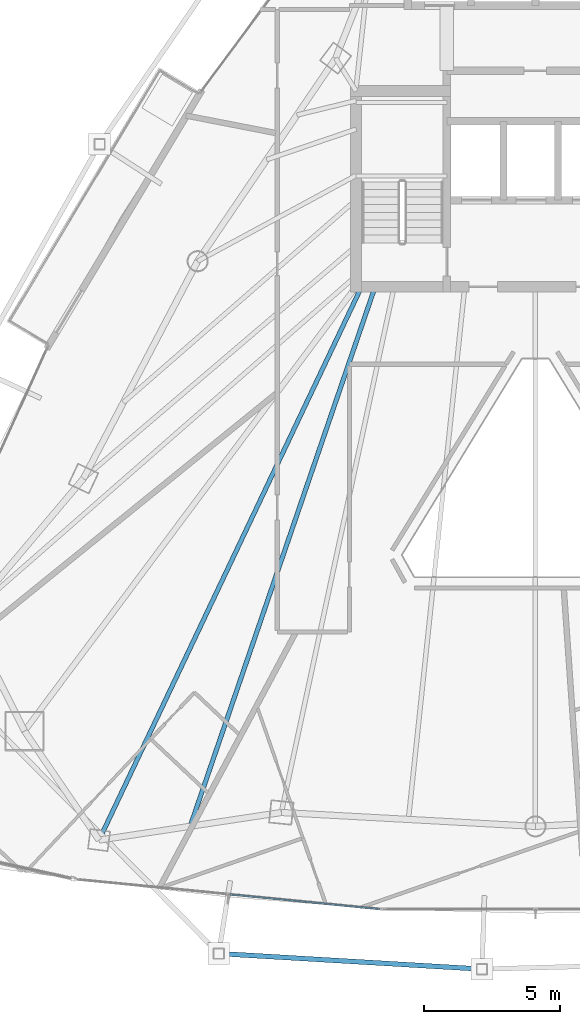
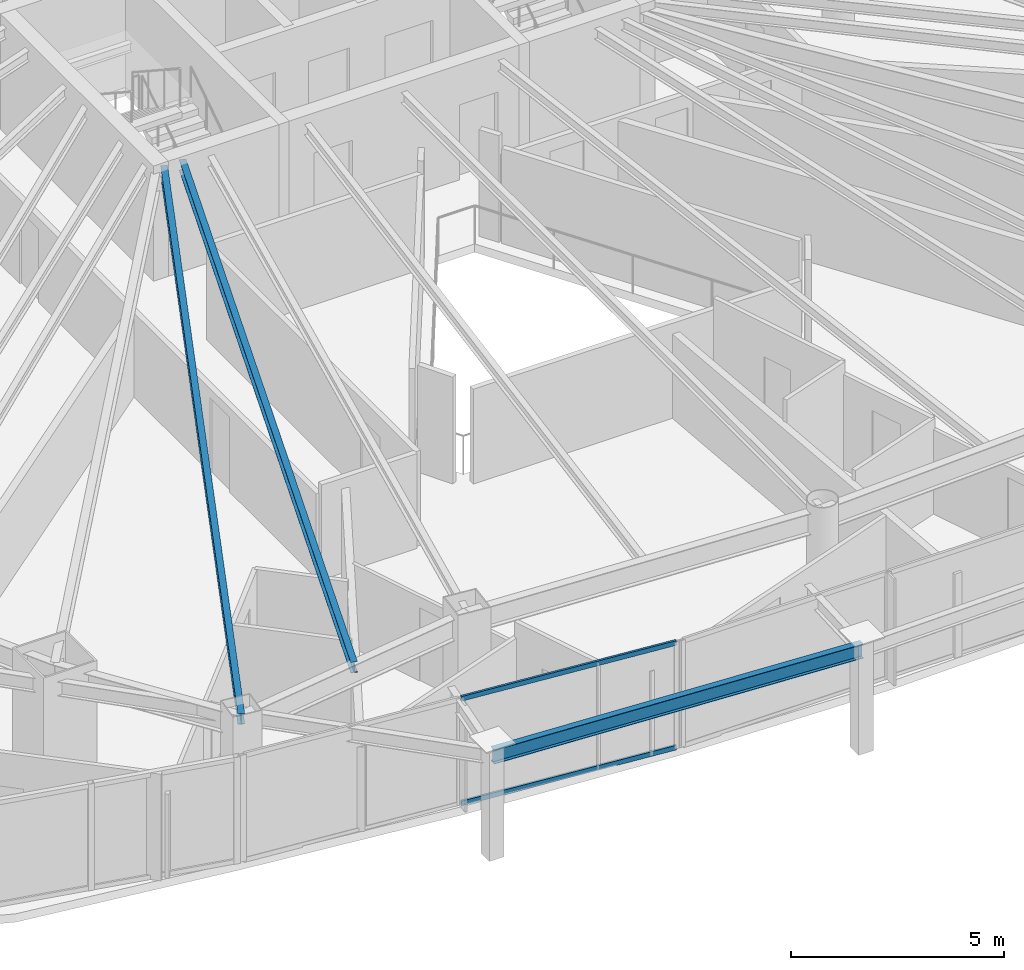
# One storey, part 6 of 29: 3 beams, 2 members, 1 element without a shape of its own.
"""IFC4 building model written with IfcOpenShell, lengths in metres."""

from ifc_helpers import new_model, si_unit, direction, frame, origin, origin_2d, place, context, subcontext, project, spatial, hollow_rectangle, i_section, extrude, material, layer, layer_set, material_profile, profile_set, type_object, element, aggregate, save


model = new_model("IFC4")

# Units and contexts
model_context = context("Model", 3, precision=1e-05, world=origin(), true_north=direction((0.0, 1.0)))
body_context = subcontext(model_context, "Body", "Model", "MODEL_VIEW")
ifc_project = project(units=[si_unit("LENGTHUNIT", "METRE"), si_unit("AREAUNIT", "SQUARE_METRE"), si_unit("VOLUMEUNIT", "CUBIC_METRE"), si_unit("PLANEANGLEUNIT", "RADIAN"), si_unit("MASSUNIT", "GRAM", prefix="KILO")], contexts=[model_context])

# Site, building, storey
site_placement = place(None, origin())
site = spatial("IfcSite", under=ifc_project, at=site_placement, CompositionType="ELEMENT")
building_placement = place(site_placement, origin())
building = spatial("IfcBuilding", under=site, at=building_placement, Name="Orvanel Arch Residences", CompositionType="ELEMENT")
storey_placement = place(building_placement, frame((0.0, 0.0, 167.14990234375)))
storey = spatial("IfcBuildingStorey", under=building, at=storey_placement, Name="L47", CompositionType="ELEMENT", Elevation=167.14990234375)

# Beams
ifc_material_1 = material(Name="Structural steel AS/NZS 3679.1 Grade 300 (300 MPa)", Category="steel")
ifc_material_profile_1 = material_profile(ifc_material_1, i_section(OverallWidth=0.1650390625, OverallDepth=0.303955078125, WebThickness=0.006103515625, FlangeThickness=0.01025390625, at=origin_2d()), Name="310UB40.4")
ifc_profile_set_1 = profile_set([ifc_material_profile_1], Name="Structural steel AS/NZS 3679.1 Grade 300 (300 MPa)")
beam_type_1 = type_object("IfcBeamType", Name="BJ-310UB", PredefinedType="JOIST", material=ifc_profile_set_1)
beam_1_placement = place(storey_placement, frame((26.60009765625, 26.699951171875, 2.908203125), z_axis=(-0.428614365266, -0.903487534993, 0.0), x_axis=(0.903487534993, -0.428614365266, 0.0)))
element("IfcBeam", 1, at=beam_1_placement, inside=storey, type_object=beam_type_1, Name="L47 MSW Wing Floor Joist", PredefinedType="JOIST", context=body_context, shape_type="SweptSolid", body=[
    extrude(i_section(OverallWidth=0.1650390625, OverallDepth=0.303955078125, WebThickness=0.006103515625, FlangeThickness=0.01025390625, at=origin_2d()), origin(), (0.0, 0.0, 1.0), 22.535888671875),
])
beam_2_placement = place(storey_placement, frame((27.10009765625, 26.699951171875, 2.908203125), z_axis=(-0.324257108963, -0.945968988544, 0.0), x_axis=(0.945968988544, -0.324257108963, 0.0)))
element("IfcBeam", 2, at=beam_2_placement, inside=storey, type_object=beam_type_1, Name="L47 JADD1 Wing Floor Joist", PredefinedType="JOIST", context=body_context, shape_type="SweptSolid", body=[
    extrude(i_section(OverallWidth=0.1650390625, OverallDepth=0.303955078125, WebThickness=0.006103515625, FlangeThickness=0.01025390625, at=origin_2d()), origin(), (0.0, 0.0, 1.0), 20.987060546875),
])
ifc_material_profile_2 = material_profile(ifc_material_1, i_section(OverallWidth=0.177978515625, OverallDepth=0.406005859375, WebThickness=0.0078125, FlangeThickness=0.0126953125, at=origin_2d()), Name="410UB59.7")
ifc_profile_set_2 = profile_set([ifc_material_profile_2], Name="Structural steel AS/NZS 3679.1 Grade 300 (300 MPa)")
beam_type_2 = type_object("IfcBeamType", Name="OB-410UB-EXT", PredefinedType="SPANDREL", material=ifc_profile_set_2)
beam_3_placement = place(storey_placement, frame((21.345947265625, 2.1640625, 2.857177734375), z_axis=(0.998254445166, -0.059059823111, 0.0), x_axis=(0.059059823111, 0.998254445166, 0.0)))
element("IfcBeam", 3, at=beam_3_placement, inside=storey, type_object=beam_type_2, Name="L47 Outer Perimeter Floor Ring Beam 05", PredefinedType="SPANDREL", context=body_context, shape_type="SweptSolid", body=[
    extrude(i_section(OverallWidth=0.177978515625, OverallDepth=0.406005859375, WebThickness=0.0078125, FlangeThickness=0.0126953125, at=origin_2d()), origin(), (0.0, 0.0, 1.0), 9.701904296875),
])

# Curtain wall, members
ifc_material_2 = material(Name="Bronze-anodised aluminium AA6063-T6", Category="aluminium")
ifc_layer = layer(ifc_material_2, 0.179931640625)
ifc_layer_set = layer_set([ifc_layer], Name="Bronze-anodised aluminium AA6063-T6")
curtain_wall_type = type_object("IfcCurtainWallType", Name="CW3-MID-SYS", PredefinedType="NOTDEFINED", material=ifc_layer_set)
curtain_wall_placement = place(storey_placement, origin())
curtain_wall = element("IfcCurtainWall", 4, at=curtain_wall_placement, inside=storey, type_object=curtain_wall_type, Name="L47 CW3-MID-SYS Unitised Curtain Wall", PredefinedType="NOTDEFINED")
ifc_material_profile_3 = material_profile(ifc_material_2, hollow_rectangle(XDim=0.06005859375, YDim=0.135009765625, WallThickness=0.00390625, at=origin_2d()), Name="ALU135x60x4")
ifc_profile_set_3 = profile_set([ifc_material_profile_3], Name="Bronze-anodised aluminium AA6063-T6")
member_type = type_object("IfcMemberType", Name="TRN-135x60", PredefinedType="USERDEFINED", material=ifc_profile_set_3)
member_1_placement = place(storey_placement, frame((21.75244140625, 4.341064453125, 0.030029296875), z_axis=(0.995255824689, -0.097292566125, 0.0), x_axis=(0.097292566125, 0.995255824689, 0.0)))
member_1 = element("IfcMember", 5, at=member_1_placement, type_object=member_type, Name="CW-S3 transom 2.1", ObjectType="TRANSOM", PredefinedType="USERDEFINED", context=body_context, shape_type="SweptSolid", body=[
    extrude(hollow_rectangle(XDim=0.06005859375, YDim=0.135009765625, WallThickness=0.00390625, at=origin_2d()), origin(), (0.0, 0.0, 1.0), 5.543212890625),
])
member_2_placement = place(storey_placement, frame((21.75244140625, 4.341064453125, 3.030029296875), z_axis=(0.995255824689, -0.097292566125, 0.0), x_axis=(0.097292566125, 0.995255824689, 0.0)))
member_2 = element("IfcMember", 6, at=member_2_placement, type_object=member_type, Name="CW-S3 transom 2.2", ObjectType="TRANSOM", PredefinedType="USERDEFINED", context=body_context, shape_type="SweptSolid", body=[
    extrude(hollow_rectangle(XDim=0.06005859375, YDim=0.135009765625, WallThickness=0.00390625, at=origin_2d()), origin(), (0.0, 0.0, 1.0), 5.543212890625),
])
aggregate(curtain_wall, [member_1, member_2])

save(model, "model.ifc")
